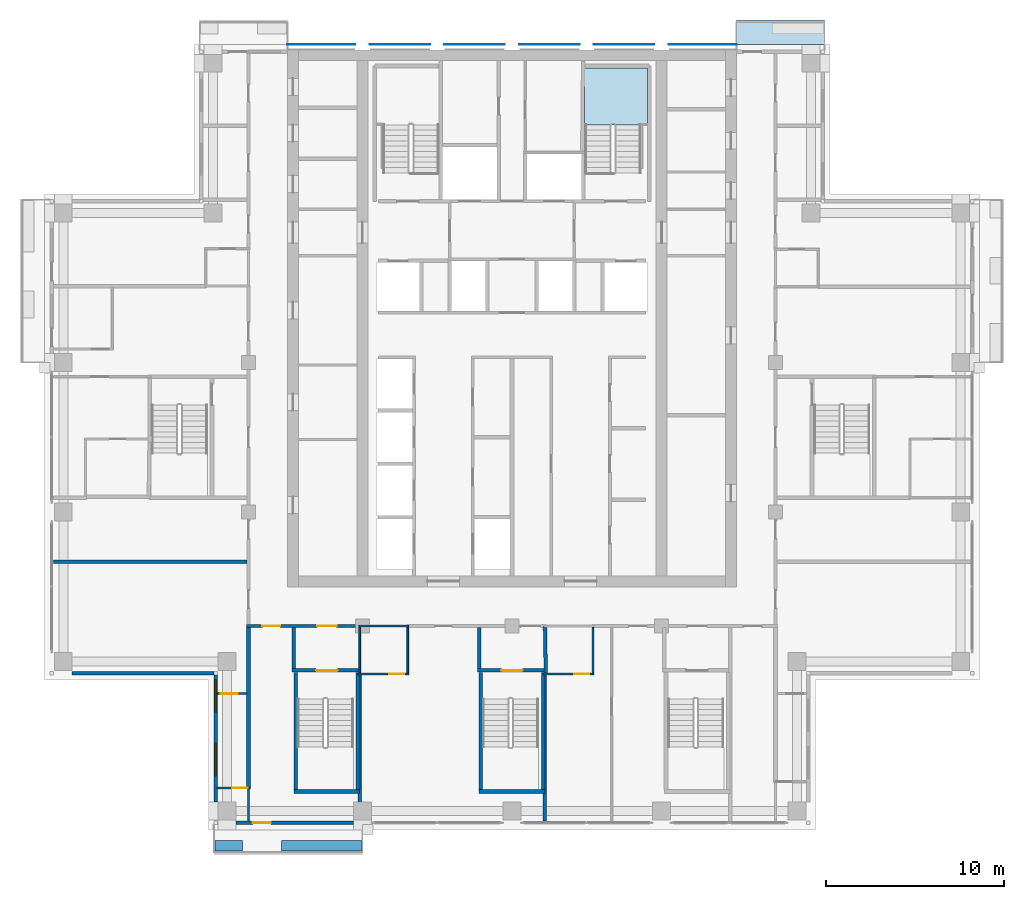
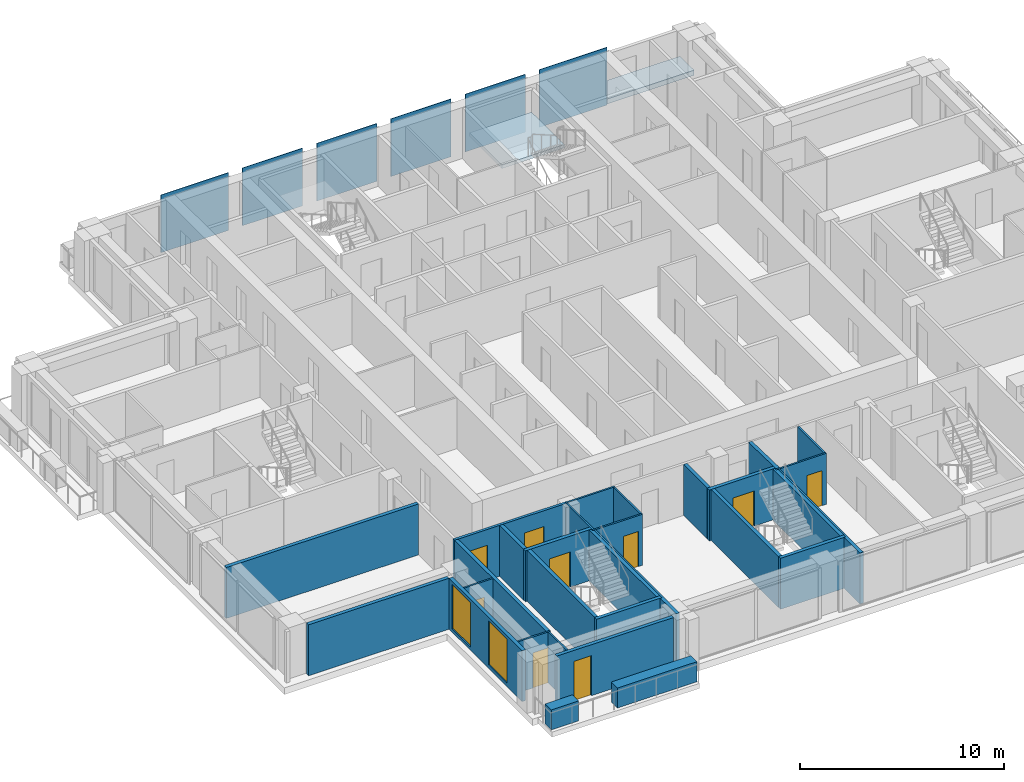
# One storey, part 7 of 16: 30 walls, 9 doors, 6 plates, 2 slabs, 2 windows, 11 openings, 1 element without a shape of its own.
"""IFC4 building model written with IfcOpenShell, lengths in metres."""

from ifc_helpers import new_model, si_unit, direction, frame, frame_2d, origin, origin_2d, place, context, subcontext, project, spatial, polyline, rectangle, outline, extrude, material, layer, layer_set, type_object, element, fill, aggregate, save


model = new_model("IFC4")

# Units and contexts
model_context = context("Model", 3, precision=1e-05, world=origin(), true_north=direction((0.0, 1.0)))
body_context = subcontext(model_context, "Body", "Model", "MODEL_VIEW")
ifc_project = project(units=[si_unit("LENGTHUNIT", "METRE"), si_unit("AREAUNIT", "SQUARE_METRE"), si_unit("VOLUMEUNIT", "CUBIC_METRE"), si_unit("PLANEANGLEUNIT", "RADIAN"), si_unit("MASSUNIT", "GRAM", prefix="KILO")], contexts=[model_context])

# Site, building, storey
site_placement = place(None, origin())
site = spatial("IfcSite", under=ifc_project, at=site_placement, CompositionType="ELEMENT")
building_placement = place(site_placement, origin())
building = spatial("IfcBuilding", under=site, at=building_placement, Name="Vermilion Ogive Tower", CompositionType="ELEMENT")
storey_placement = place(building_placement, frame((0.0, 0.0, 179.0)))
storey = spatial("IfcBuildingStorey", under=building, at=storey_placement, Name="L46", CompositionType="ELEMENT", Elevation=179.0)

# Slab
ifc_material_1 = material(Name="Concrete B40", Category="concrete")
ifc_layer_1 = layer(ifc_material_1, 0.300048828125)
ifc_layer_set_1 = layer_set([ifc_layer_1], Name="Balcony slab")
slab_type_1 = type_object("IfcSlabType", Name="Balcony slab", PredefinedType="FLOOR", material=ifc_layer_set_1)
slab_1_placement = place(storey_placement, frame((0.0, 0.0, -0.340087890625)))
element("IfcSlab", 1, at=slab_1_placement, inside=storey, type_object=slab_type_1, Name="Balcony slab N101", PredefinedType="FLOOR", context=body_context, shape_type="SweptSolid", body=[
    extrude(outline(polyline([(17.550048828125, 23.43408203125), (12.60009765625, 23.43408203125), (12.60009765625, 22.050048828125), (17.550048828125, 22.050048828125), (17.550048828125, 23.43408203125)])), origin(), (0.0, 0.0, 1.0), 0.300048828125),
])

# Plates
ifc_material_2 = material(Name="Low-iron laminated glazing in aluminium frame", Category="aluminium")
ifc_layer_2 = layer(ifc_material_2, 0.031982421875)
ifc_layer_set_2 = layer_set([ifc_layer_2], Name="Glazed rainscreen sheet 32")
plate_type = type_object("IfcPlateType", Name="Glazed rainscreen sheet 32", PredefinedType="SHEET", material=ifc_layer_set_2)
plate_1_placement = place(storey_placement, frame((-10.7099609375, 22.06591796875, -0.39990234375), z_axis=(0.0, 0.0, 1.0), x_axis=(1.0, 0.0, 0.0)))
element("IfcPlate", 2, at=plate_1_placement, inside=storey, type_object=plate_type, Name="Glazed rainscreen sheet N1", PredefinedType="SHEET", context=body_context, shape_type="SweptSolid", body=[
    extrude(rectangle(XDim=3.820068359375, YDim=0.031982421875, at=origin_2d()), origin(), (0.0, 0.0, 1.0), 3.449951171875),
])
for number, where, z_axis, x_axis, name in (
    (3, (-6.300048828125, 22.06591796875, -0.39990234375), (0.0, 0.0, 1.0), (1.0, 0.0, 0.0), "Glazed rainscreen sheet N2"),
    (4, (-2.10009765625, 22.06591796875, -0.39990234375), (0.0, 0.0, 1.0), (1.0, 0.0, 0.0), "Glazed rainscreen sheet N3"),
    (5, (2.10009765625, 22.06591796875, -0.39990234375), (0.0, 0.0, 1.0), (1.0, 0.0, 0.0), "Glazed rainscreen sheet N4"),
    (6, (6.300048828125, 22.06591796875, -0.39990234375), (0.0, 0.0, 1.0), (1.0, 0.0, 0.0), "Glazed rainscreen sheet N5"),
):
    element("IfcPlate", number, at=place(storey_placement, frame(where, z_axis=z_axis, x_axis=x_axis)), inside=storey, type_object=plate_type, Name=name, PredefinedType="SHEET", context=body_context, shape_type="SweptSolid", body=[
        extrude(rectangle(XDim=3.39990234375, YDim=0.031982421875, at=origin_2d()), origin(), (0.0, 0.0, 1.0), 3.449951171875),
    ])
plate_2_placement = place(storey_placement, frame((10.7099609375, 22.06591796875, -0.39990234375), z_axis=(0.0, 0.0, 1.0), x_axis=(1.0, 0.0, 0.0)))
element("IfcPlate", 7, at=plate_2_placement, inside=storey, type_object=plate_type, Name="Glazed rainscreen sheet N6", PredefinedType="SHEET", context=body_context, shape_type="SweptSolid", body=[
    extrude(rectangle(XDim=3.820068359375, YDim=0.031982421875, at=origin_2d()), origin(), (0.0, 0.0, 1.0), 3.449951171875),
])

# Stair, slab
ifc_material_3 = material(Name="Concrete B40", Category="concrete")
stair_type = type_object("IfcStairType", Name="Exit stair 1500", PredefinedType="HALF_TURN_STAIR", material=ifc_material_3)
stair_placement = place(storey_placement, origin())
stair = element("IfcStair", 8, at=stair_placement, inside=storey, type_object=stair_type, Name="L46 Exit Stair ST2", PredefinedType="HALF_TURN_STAIR")
ifc_material_4 = material(Name="Concrete B40", Category="concrete")
ifc_layer_3 = layer(ifc_material_4, 0.199951171875)
ifc_layer_set_3 = layer_set([ifc_layer_3], Name="Stair landing 200")
slab_type_2 = type_object("IfcSlabType", Name="Stair landing 200", PredefinedType="LANDING", material=ifc_layer_set_3)
slab_2_placement = place(storey_placement, frame((0.0, 0.0, 1.52490234375)))
slab_2 = element("IfcSlab", 9, at=slab_2_placement, type_object=slab_type_2, Name="ST2 landing 1", PredefinedType="LANDING", context=body_context, shape_type="SweptSolid", body=[
    extrude(outline(polyline([(5.60009765625, 17.550048828125), (5.75, 17.550048828125), (5.75, 17.548095703125), (7.25, 17.548095703125), (7.25, 17.550048828125), (7.60009765625, 17.550048828125), (7.60009765625, 20.75), (4.074951171875, 20.75), (4.074951171875, 17.550048828125), (4.10009765625, 17.550048828125), (4.10009765625, 17.548095703125), (5.60009765625, 17.548095703125), (5.60009765625, 17.550048828125)])), origin(), (0.0, 0.0, 1.0), 0.2001953125),
])
aggregate(stair, [slab_2])

# Wall, opening, door
ifc_material_5 = material(Name="Gypsum board partition on steel studs", Category="steel")
ifc_layer_4 = layer(ifc_material_5, 0.10009765625)
ifc_layer_set_4 = layer_set([ifc_layer_4], Name="Partition 100 bath")
wall_type_1 = type_object("IfcWallType", Name="Partition 100 bath", PredefinedType="PARTITIONING", material=ifc_layer_set_4)
wall_1_placement = place(storey_placement, frame((-16.550048828125, -19.699951171875, 0.0), z_axis=(0.0, 0.0, 1.0), x_axis=(1.0, 0.0, 0.0)))
wall_1 = element("IfcWall", 10, at=wall_1_placement, inside=storey, type_object=wall_type_1, Name="L46-W-W001", PredefinedType="PARTITIONING", context=body_context, shape_type="SweptSolid", body=[
    extrude(rectangle(XDim=1.85009765625, YDim=0.10009765625, at=frame_2d((0.925048828125, 0.0))), origin(), (0.0, 0.0, 1.0), 3.050048828125),
])
opening_1_placement = place(wall_1_placement, frame((0.85009765625, 0.0, 0.0)))
opening_1 = element("IfcOpeningElement", 11, at=opening_1_placement, cuts=wall_1, Name="Opening D4G1003", PredefinedType="OPENING", context=body_context, shape_type="SweptSolid", body=[
    extrude(rectangle(XDim=0.85009765625, YDim=2.10009765625, at=frame_2d((0.425048828125, 1.050048828125))), frame((0.0, 0.06005859375, 0.0), z_axis=(0.0, -1.0, 0.0), x_axis=(1.0, 0.0, 0.0)), (0.0, 0.0, 1.0), 0.1201171875),
])
ifc_material_6 = material(Name="Timber door leaf", Category="wood")
door_type_1 = type_object("IfcDoorType", Name="Bath door 850 x 2100 FD30", OperationType="SINGLE_SWING_LEFT", PredefinedType="DOOR", material=ifc_material_6)
door_1_placement = place(opening_1_placement, origin())
door_1 = element("IfcDoor", 12, at=door_1_placement, inside=storey, type_object=door_type_1, Name="L46-D-D003", OperationType="SINGLE_SWING_RIGHT", OverallHeight=2.10009765625, OverallWidth=0.85009765625, PredefinedType="DOOR", context=body_context, shape_type="SweptSolid", body=[
    extrude(rectangle(XDim=0.85009765625, YDim=2.10009765625, at=frame_2d((0.425048828125, 1.050048828125))), frame((0.0, 0.02490234375, 0.0), z_axis=(0.0, -1.0, 0.0), x_axis=(1.0, 0.0, 0.0)), (0.0, 0.0, 1.0), 0.050048828125),
])
fill(opening_1, door_1)

wall_2_placement = place(storey_placement, frame((-8.64990234375, -13.300048828125, 0.0), z_axis=(0.0, 0.0, 1.0), x_axis=(1.0, 0.0, 0.0)))
wall_2 = element("IfcWall", 13, at=wall_2_placement, inside=storey, type_object=wall_type_1, Name="L46-W-W008", PredefinedType="PARTITIONING", context=body_context, shape_type="SweptSolid", body=[
    extrude(rectangle(XDim=2.847900390625, YDim=0.10009765625, at=frame_2d((1.423828125, 0.0))), origin(), (0.0, 0.0, 1.0), 3.050048828125),
])
opening_2_placement = place(wall_2_placement, frame((1.75, 0.0, 0.0)))
opening_2 = element("IfcOpeningElement", 14, at=opening_2_placement, cuts=wall_2, Name="Opening D4G1013", PredefinedType="OPENING", context=body_context, shape_type="SweptSolid", body=[
    extrude(rectangle(XDim=0.85009765625, YDim=2.10009765625, at=frame_2d((0.425048828125, 1.050048828125))), frame((0.0, 0.06005859375, 0.0), z_axis=(0.0, -1.0, 0.0), x_axis=(1.0, 0.0, 0.0)), (0.0, 0.0, 1.0), 0.1201171875),
])
door_2_placement = place(opening_2_placement, origin())
door_2 = element("IfcDoor", 15, at=door_2_placement, inside=storey, type_object=door_type_1, Name="L46-D-D013", OperationType="SINGLE_SWING_RIGHT", OverallHeight=2.10009765625, OverallWidth=0.85009765625, PredefinedType="DOOR", context=body_context, shape_type="SweptSolid", body=[
    extrude(rectangle(XDim=0.85009765625, YDim=2.10009765625, at=frame_2d((0.425048828125, 1.050048828125))), frame((0.0, 0.02490234375, 0.0), z_axis=(0.0, -1.0, 0.0), x_axis=(1.0, 0.0, 0.0)), (0.0, 0.0, 1.0), 0.050048828125),
])
fill(opening_2, door_2)

wall_3_placement = place(storey_placement, frame((1.75, -13.300048828125, 0.0), z_axis=(0.0, 0.0, 1.0), x_axis=(1.0, 0.0, 0.0)))
wall_3 = element("IfcWall", 16, at=wall_3_placement, inside=storey, type_object=wall_type_1, Name="L46-W-W009", PredefinedType="PARTITIONING", context=body_context, shape_type="SweptSolid", body=[
    extrude(rectangle(XDim=2.85009765625, YDim=0.10009765625, at=frame_2d((1.425048828125, 0.0))), origin(), (0.0, 0.0, 1.0), 3.050048828125),
])
opening_3_placement = place(wall_3_placement, frame((1.75, 0.0, 0.0)))
opening_3 = element("IfcOpeningElement", 17, at=opening_3_placement, cuts=wall_3, Name="Opening D4G1016", PredefinedType="OPENING", context=body_context, shape_type="SweptSolid", body=[
    extrude(rectangle(XDim=0.85009765625, YDim=2.10009765625, at=frame_2d((0.425048828125, 1.050048828125))), frame((0.0, 0.06005859375, 0.0), z_axis=(0.0, -1.0, 0.0), x_axis=(1.0, 0.0, 0.0)), (0.0, 0.0, 1.0), 0.1201171875),
])
door_3_placement = place(opening_3_placement, origin())
door_3 = element("IfcDoor", 18, at=door_3_placement, inside=storey, type_object=door_type_1, Name="L46-D-D016", OperationType="SINGLE_SWING_RIGHT", OverallHeight=2.10009765625, OverallWidth=0.85009765625, PredefinedType="DOOR", context=body_context, shape_type="SweptSolid", body=[
    extrude(rectangle(XDim=0.85009765625, YDim=2.10009765625, at=frame_2d((0.425048828125, 1.050048828125))), frame((0.0, 0.02490234375, 0.0), z_axis=(0.0, -1.0, 0.0), x_axis=(1.0, 0.0, 0.0)), (0.0, 0.0, 1.0), 0.050048828125),
])
fill(opening_3, door_3)

# Walls
wall_4_placement = place(storey_placement, frame((-8.60009765625, -10.60009765625, 0.0), z_axis=(0.0, 0.0, 1.0), x_axis=(1.0, 0.0, 0.0)))
element("IfcWall", 19, at=wall_4_placement, inside=storey, type_object=wall_type_1, Name="L46-W-W014", PredefinedType="PARTITIONING", context=body_context, shape_type="SweptSolid", body=[
    extrude(rectangle(XDim=2.800048828125, YDim=0.10009765625, at=frame_2d((1.39990234375, 0.0))), origin(), (0.0, 0.0, 1.0), 3.050048828125),
])
wall_5_placement = place(storey_placement, frame((-14.800048828125, -21.550048828125, 0.0), z_axis=(0.0, 0.0, 1.0), x_axis=(0.0, 1.0, 0.0)))
element("IfcWall", 20, at=wall_5_placement, inside=storey, type_object=wall_type_1, Name="L46-W-W048", PredefinedType="PARTITIONING", context=body_context, shape_type="SweptSolid", body=[
    extrude(rectangle(XDim=1.800048828125, YDim=0.10009765625, at=frame_2d((0.89990234375, 0.0))), origin(), (0.0, 0.0, 1.0), 3.050048828125),
])
wall_6_placement = place(storey_placement, frame((-8.550048828125, -13.25, 0.0), z_axis=(0.0, 0.0, 1.0), x_axis=(0.0, 1.0, 0.0)))
element("IfcWall", 21, at=wall_6_placement, inside=storey, type_object=wall_type_1, Name="L46-W-W057", PredefinedType="PARTITIONING", context=body_context, shape_type="SweptSolid", body=[
    extrude(rectangle(XDim=2.574951171875, YDim=0.10009765625, at=frame_2d((1.28759765625, 0.0))), origin(), (0.0, 0.0, 1.0), 3.050048828125),
])
wall_7_placement = place(storey_placement, frame((-5.85009765625, -13.248046875, 0.0), z_axis=(0.0, 0.0, 1.0), x_axis=(0.0, 1.0, 0.0)))
element("IfcWall", 22, at=wall_7_placement, inside=storey, type_object=wall_type_1, Name="L46-W-W058", PredefinedType="PARTITIONING", context=body_context, shape_type="SweptSolid", body=[
    extrude(rectangle(XDim=2.572998046875, YDim=0.10009765625, at=frame_2d((1.28662109375, 0.0))), origin(), (0.0, 0.0, 1.0), 3.050048828125),
])
wall_8_placement = place(storey_placement, frame((4.550048828125, -13.25, 0.0), z_axis=(0.0, 0.0, 1.0), x_axis=(0.0, 1.0, 0.0)))
element("IfcWall", 23, at=wall_8_placement, inside=storey, type_object=wall_type_1, Name="L46-W-W064", PredefinedType="PARTITIONING", context=body_context, shape_type="SweptSolid", body=[
    extrude(rectangle(XDim=2.574951171875, YDim=0.10009765625, at=frame_2d((1.28759765625, 0.0))), origin(), (0.0, 0.0, 1.0), 3.050048828125),
])

# Wall, opening, door
ifc_material_7 = material(Name="Gypsum board partition on steel studs", Category="steel")
ifc_layer_5 = layer(ifc_material_7, 0.10009765625)
ifc_layer_set_5 = layer_set([ifc_layer_5], Name="Partition 100 inner")
wall_type_2 = type_object("IfcWallType", Name="Partition 100 inner", PredefinedType="PARTITIONING", material=ifc_layer_set_5)
wall_9_placement = place(storey_placement, frame((-16.550048828125, -14.39990234375, 0.0), z_axis=(0.0, 0.0, 1.0), x_axis=(1.0, 0.0, 0.0)))
wall_9 = element("IfcWall", 24, at=wall_9_placement, inside=storey, type_object=wall_type_2, Name="L46-W-W006", PredefinedType="PARTITIONING", context=body_context, shape_type="SweptSolid", body=[
    extrude(rectangle(XDim=1.650146484375, YDim=0.10009765625, at=frame_2d((0.8251953125, 0.0))), origin(), (0.0, 0.0, 1.0), 3.050048828125),
])
opening_4_placement = place(wall_9_placement, frame((0.199951171875, 0.0, 0.0)))
opening_4 = element("IfcOpeningElement", 25, at=opening_4_placement, cuts=wall_9, Name="Opening D4G1002", PredefinedType="OPENING", context=body_context, shape_type="SweptSolid", body=[
    extrude(rectangle(XDim=0.949951171875, YDim=2.10009765625, at=frame_2d((0.47509765625, 1.050048828125))), frame((0.0, 0.06005859375, 0.0), z_axis=(0.0, -1.0, 0.0), x_axis=(1.0, 0.0, 0.0)), (0.0, 0.0, 1.0), 0.1201171875),
])
ifc_material_8 = material(Name="Timber door leaf", Category="wood")
door_type_2 = type_object("IfcDoorType", Name="Inner door 950 x 2100 FD30", OperationType="SINGLE_SWING_LEFT", PredefinedType="DOOR", material=ifc_material_8)
door_4_placement = place(opening_4_placement, origin())
door_4 = element("IfcDoor", 26, at=door_4_placement, inside=storey, type_object=door_type_2, Name="L46-D-D002", OperationType="SINGLE_SWING_RIGHT", OverallHeight=2.10009765625, OverallWidth=0.949951171875, PredefinedType="DOOR", context=body_context, shape_type="SweptSolid", body=[
    extrude(rectangle(XDim=0.949951171875, YDim=2.10009765625, at=frame_2d((0.47509765625, 1.050048828125))), frame((0.0, 0.02490234375, 0.0), z_axis=(0.0, -1.0, 0.0), x_axis=(1.0, 0.0, 0.0)), (0.0, 0.0, 1.0), 0.050048828125),
])
fill(opening_4, door_4)

# Wall, openings, doors
ifc_material_9 = material(Name="Gypsum board partition on steel studs", Category="steel")
ifc_layer_6 = layer(ifc_material_9, 0.14990234375)
ifc_layer_set_6 = layer_set([ifc_layer_6], Name="Partition 150 corridor")
wall_type_3 = type_object("IfcWallType", Name="Partition 150 corridor", PredefinedType="PARTITIONING", material=ifc_layer_set_6)
wall_10_placement = place(storey_placement, frame((-14.89990234375, -10.60009765625, 0.0), z_axis=(0.0, 0.0, 1.0), x_axis=(1.0, 0.0, 0.0)))
wall_10 = element("IfcWall", 27, at=wall_10_placement, inside=storey, type_object=wall_type_3, Name="L46-W-W013", PredefinedType="PARTITIONING", context=body_context, shape_type="SweptSolid", body=[
    extrude(rectangle(XDim=6.39990234375, YDim=0.14990234375, at=frame_2d((3.199951171875, 0.0))), origin(), (0.0, 0.0, 1.0), 3.050048828125),
])
opening_5_placement = place(wall_10_placement, frame((3.949951171875, 0.0, 0.0)))
opening_5 = element("IfcOpeningElement", 28, at=opening_5_placement, cuts=wall_10, Name="Opening D4G1027", PredefinedType="OPENING", context=body_context, shape_type="SweptSolid", body=[
    extrude(rectangle(XDim=1.10009765625, YDim=2.10009765625, at=frame_2d((0.550048828125, 1.050048828125))), frame((0.0, 0.0849609375, 0.0), z_axis=(0.0, -1.0, 0.0), x_axis=(1.0, 0.0, 0.0)), (0.0, 0.0, 1.0), 0.169921875),
])
opening_6_placement = place(wall_10_placement, frame((0.875, 0.0, 0.0)))
opening_6 = element("IfcOpeningElement", 29, at=opening_6_placement, cuts=wall_10, Name="Opening D4G1037", PredefinedType="OPENING", context=body_context, shape_type="SweptSolid", body=[
    extrude(rectangle(XDim=1.0, YDim=2.10009765625, at=frame_2d((0.5, 1.050048828125))), frame((0.0, 0.0849609375, 0.0), z_axis=(0.0, -1.0, 0.0), x_axis=(1.0, 0.0, 0.0)), (0.0, 0.0, 1.0), 0.169921875),
])
ifc_material_10 = material(Name="Timber door leaf", Category="wood")
door_type_3 = type_object("IfcDoorType", Name="Stair door 1100 x 2100 FD60S", OperationType="SINGLE_SWING_LEFT", PredefinedType="DOOR", material=ifc_material_10)
door_5_placement = place(opening_5_placement, origin())
door_5 = element("IfcDoor", 30, at=door_5_placement, inside=storey, type_object=door_type_3, Name="L46-D-D027", OperationType="SINGLE_SWING_RIGHT", OverallHeight=2.10009765625, OverallWidth=1.10009765625, PredefinedType="DOOR", context=body_context, shape_type="SweptSolid", body=[
    extrude(rectangle(XDim=1.10009765625, YDim=2.10009765625, at=frame_2d((0.550048828125, 1.050048828125))), frame((0.0, 0.02490234375, 0.0), z_axis=(0.0, -1.0, 0.0), x_axis=(1.0, 0.0, 0.0)), (0.0, 0.0, 1.0), 0.050048828125),
])
fill(opening_5, door_5)
ifc_material_11 = material(Name="Timber door leaf", Category="wood")
door_type_4 = type_object("IfcDoorType", Name="Unit door 1000 x 2100 FD30S", OperationType="SINGLE_SWING_LEFT", PredefinedType="DOOR", material=ifc_material_11)
door_6_placement = place(opening_6_placement, origin())
door_6 = element("IfcDoor", 31, at=door_6_placement, inside=storey, type_object=door_type_4, Name="L46-D-D037", OperationType="SINGLE_SWING_RIGHT", OverallHeight=2.10009765625, OverallWidth=1.0, PredefinedType="DOOR", context=body_context, shape_type="SweptSolid", body=[
    extrude(rectangle(XDim=1.0, YDim=2.10009765625, at=frame_2d((0.5, 1.050048828125))), frame((0.0, 0.02490234375, 0.0), z_axis=(0.0, -1.0, 0.0), x_axis=(1.0, 0.0, 0.0)), (0.0, 0.0, 1.0), 0.050048828125),
])
fill(opening_6, door_6)

# Walls
ifc_material_12 = material(Name="Gypsum board partition on steel studs", Category="steel")
ifc_layer_7 = layer(ifc_material_12, 0.199951171875)
ifc_layer_set_7 = layer_set([ifc_layer_7], Name="Partition 200 party")
wall_type_4 = type_object("IfcWallType", Name="Partition 200 party", PredefinedType="PARTITIONING", material=ifc_layer_set_7)
wall_11_placement = place(storey_placement, frame((-25.75, -7.0, 0.0), z_axis=(0.0, 0.0, 1.0), x_axis=(1.0, 0.0, 0.0)))
element("IfcWall", 32, at=wall_11_placement, inside=storey, type_object=wall_type_4, Name="L46-W-W018", PredefinedType="PARTITIONING", context=body_context, shape_type="SweptSolid", body=[
    extrude(rectangle(XDim=10.875, YDim=0.199951171875, at=frame_2d((5.4375, 0.0))), origin(), (0.0, 0.0, 1.0), 3.050048828125),
])
wall_12_placement = place(storey_placement, frame((-14.800048828125, -19.64990234375, 0.0), z_axis=(0.0, 0.0, 1.0), x_axis=(0.0, 1.0, 0.0)))
element("IfcWall", 33, at=wall_12_placement, inside=storey, type_object=wall_type_4, Name="L46-W-W049", PredefinedType="PARTITIONING", context=body_context, shape_type="SweptSolid", body=[
    extrude(rectangle(XDim=8.974853515625, YDim=0.199951171875, at=frame_2d((4.4873046875, 0.0))), origin(), (0.0, 0.0, 1.0), 3.050048828125),
])
for number, where, z_axis, x_axis, name in (
    (34, (-12.25, -12.998046875, 0.0), (0.0, 0.0, 1.0), (0.0, 1.0, 0.0), "L46-W-W053"),
    (35, (-1.85009765625, -12.998046875, 0.0), (0.0, 0.0, 1.0), (0.0, 1.0, 0.0), "L46-W-W059"),
):
    element("IfcWall", number, at=place(storey_placement, frame(where, z_axis=z_axis, x_axis=x_axis)), inside=storey, type_object=wall_type_4, Name=name, PredefinedType="PARTITIONING", context=body_context, shape_type="SweptSolid", body=[
        extrude(rectangle(XDim=2.322998046875, YDim=0.199951171875, at=frame_2d((1.16162109375, 0.0))), origin(), (0.0, 0.0, 1.0), 3.050048828125),
    ])
ifc_material_13 = material(Name="Concrete B60", Category="concrete")
ifc_layer_8 = layer(ifc_material_13, 0.199951171875)
ifc_layer_set_8 = layer_set([ifc_layer_8], Name="Stair shaft wall 200 Concrete B60")
wall_type_5 = type_object("IfcWallType", Name="Stair shaft wall 200 Concrete B60", PredefinedType="SOLIDWALL", material=ifc_layer_set_8)
wall_13_placement = place(storey_placement, frame((-12.248046875, -19.89990234375, 0.0), z_axis=(0.0, 0.0, 1.0), x_axis=(1.0, 0.0, 0.0)))
element("IfcWall", 36, at=wall_13_placement, inside=storey, type_object=wall_type_5, Name="L46-W-W002", PredefinedType="SOLIDWALL", context=body_context, shape_type="SweptSolid", body=[
    extrude(rectangle(XDim=3.696044921875, YDim=0.199951171875, at=frame_2d((1.84814453125, 0.0))), origin(), (0.0, 0.0, 1.0), 3.050048828125),
])
wall_14_placement = place(storey_placement, frame((-1.847900390625, -19.89990234375, 0.0), z_axis=(0.0, 0.0, 1.0), x_axis=(1.0, 0.0, 0.0)))
element("IfcWall", 37, at=wall_14_placement, inside=storey, type_object=wall_type_5, Name="L46-W-W003", PredefinedType="SOLIDWALL", context=body_context, shape_type="SweptSolid", body=[
    extrude(rectangle(XDim=3.69580078125, YDim=0.199951171875, at=frame_2d((1.847900390625, 0.0))), origin(), (0.0, 0.0, 1.0), 3.050048828125),
])

# Wall, opening, door
wall_15_placement = place(storey_placement, frame((-12.347900390625, -13.10009765625, 0.0), z_axis=(0.0, 0.0, 1.0), x_axis=(1.0, 0.0, 0.0)))
wall_15 = element("IfcWall", 38, at=wall_15_placement, inside=storey, type_object=wall_type_5, Name="L46-W-W010", PredefinedType="SOLIDWALL", context=body_context, shape_type="SweptSolid", body=[
    extrude(rectangle(XDim=3.745849609375, YDim=0.199951171875, at=frame_2d((1.873046875, 0.0))), origin(), (0.0, 0.0, 1.0), 3.050048828125),
])
opening_7_placement = place(wall_15_placement, frame((1.347900390625, 0.0, 0.0)))
opening_7 = element("IfcOpeningElement", 39, at=opening_7_placement, cuts=wall_15, Name="Opening D4G1028", PredefinedType="OPENING", context=body_context, shape_type="SweptSolid", body=[
    extrude(rectangle(XDim=1.199951171875, YDim=2.10009765625, at=frame_2d((0.60009765625, 1.050048828125))), frame((0.0, 0.10986328125, 0.0), z_axis=(0.0, -1.0, 0.0), x_axis=(1.0, 0.0, 0.0)), (0.0, 0.0, 1.0), 0.219970703125),
])
ifc_material_14 = material(Name="Timber door leaf", Category="wood")
door_type_5 = type_object("IfcDoorType", Name="Stair door 1200 x 2100 FD60S", OperationType="SINGLE_SWING_LEFT", PredefinedType="DOOR", material=ifc_material_14)
door_7_placement = place(opening_7_placement, origin())
door_7 = element("IfcDoor", 40, at=door_7_placement, inside=storey, type_object=door_type_5, Name="L46-D-D028", OperationType="SINGLE_SWING_RIGHT", OverallHeight=2.10009765625, OverallWidth=1.199951171875, PredefinedType="DOOR", context=body_context, shape_type="SweptSolid", body=[
    extrude(rectangle(XDim=1.199951171875, YDim=2.10009765625, at=frame_2d((0.60009765625, 1.050048828125))), frame((0.0, 0.02490234375, 0.0), z_axis=(0.0, -1.0, 0.0), x_axis=(1.0, 0.0, 0.0)), (0.0, 0.0, 1.0), 0.050048828125),
])
fill(opening_7, door_7)

wall_16_placement = place(storey_placement, frame((-1.947998046875, -13.10009765625, 0.0), z_axis=(0.0, 0.0, 1.0), x_axis=(1.0, 0.0, 0.0)))
wall_16 = element("IfcWall", 41, at=wall_16_placement, inside=storey, type_object=wall_type_5, Name="L46-W-W011", PredefinedType="SOLIDWALL", context=body_context, shape_type="SweptSolid", body=[
    extrude(rectangle(XDim=3.74609375, YDim=0.199951171875, at=frame_2d((1.873046875, 0.0))), origin(), (0.0, 0.0, 1.0), 3.050048828125),
])
opening_8_placement = place(wall_16_placement, frame((1.347900390625, 0.0, 0.0)))
opening_8 = element("IfcOpeningElement", 42, at=opening_8_placement, cuts=wall_16, Name="Opening D4G1030", PredefinedType="OPENING", context=body_context, shape_type="SweptSolid", body=[
    extrude(rectangle(XDim=1.199951171875, YDim=2.10009765625, at=frame_2d((0.60009765625, 1.050048828125))), frame((0.0, 0.10986328125, 0.0), z_axis=(0.0, -1.0, 0.0), x_axis=(1.0, 0.0, 0.0)), (0.0, 0.0, 1.0), 0.219970703125),
])
door_8_placement = place(opening_8_placement, origin())
door_8 = element("IfcDoor", 43, at=door_8_placement, inside=storey, type_object=door_type_5, Name="L46-D-D030", OperationType="SINGLE_SWING_RIGHT", OverallHeight=2.10009765625, OverallWidth=1.199951171875, PredefinedType="DOOR", context=body_context, shape_type="SweptSolid", body=[
    extrude(rectangle(XDim=1.199951171875, YDim=2.10009765625, at=frame_2d((0.60009765625, 1.050048828125))), frame((0.0, 0.02490234375, 0.0), z_axis=(0.0, -1.0, 0.0), x_axis=(1.0, 0.0, 0.0)), (0.0, 0.0, 1.0), 0.050048828125),
])
fill(opening_8, door_8)

# Walls
for number, where, z_axis, x_axis, name in (
    (44, (-12.14990234375, -19.798095703125, 0.0), (0.0, 0.0, 1.0), (0.0, 1.0, 0.0), "L46-W-W054"),
    (45, (-8.64990234375, -19.798095703125, 0.0), (0.0, 0.0, 1.0), (0.0, 1.0, 0.0), "L46-W-W055"),
    (46, (-1.75, -19.798095703125, 0.0), (0.0, 0.0, 1.0), (0.0, 1.0, 0.0), "L46-W-W060"),
    (47, (1.75, -19.798095703125, 0.0), (0.0, 0.0, 1.0), (0.0, 1.0, 0.0), "L46-W-W061"),
):
    element("IfcWall", number, at=place(storey_placement, frame(where, z_axis=z_axis, x_axis=x_axis)), inside=storey, type_object=wall_type_5, Name=name, PredefinedType="SOLIDWALL", context=body_context, shape_type="SweptSolid", body=[
        extrude(rectangle(XDim=6.59619140625, YDim=0.199951171875, at=frame_2d((3.298095703125, 0.0))), origin(), (0.0, 0.0, 1.0), 3.050048828125),
    ])
wall_17_placement = place(storey_placement, frame((1.85009765625, -21.550048828125, 0.0), z_axis=(0.0, 0.0, 1.0), x_axis=(0.0, 1.0, 0.0)))
element("IfcWall", 48, at=wall_17_placement, inside=storey, type_object=wall_type_5, Name="L46-W-W062", PredefinedType="SOLIDWALL", context=body_context, shape_type="SweptSolid", body=[
    extrude(rectangle(XDim=8.199951171875, YDim=0.199951171875, at=frame_2d((4.10009765625, 0.0))), origin(), (0.0, 0.0, 1.0), 3.050048828125),
])
wall_18_placement = place(storey_placement, frame((1.900146484375, -13.25, 0.0), z_axis=(0.0, 0.0, 1.0), x_axis=(-0.019062755699, 0.999818289163, 0.0)))
element("IfcWall", 49, at=wall_18_placement, inside=storey, type_object=wall_type_5, Name="L46-W-W063", PredefinedType="SOLIDWALL", context=body_context, shape_type="SweptSolid", body=[
    extrude(rectangle(XDim=2.62548828125, YDim=0.199951171875, at=frame_2d((1.312744140625, 0.0))), origin(), (0.0, 0.0, 1.0), 3.050048828125),
])
wall_19_placement = place(storey_placement, frame((-8.550048828125, -21.550048828125, 0.0), z_axis=(0.0, 0.0, 1.0), x_axis=(0.0, 1.0, 0.0)))
element("IfcWall", 50, at=wall_19_placement, inside=storey, type_object=wall_type_5, Name="L46-W-W056-A", PredefinedType="SOLIDWALL", context=body_context, shape_type="SweptSolid", body=[
    extrude(rectangle(XDim=8.199951171875, YDim=0.199951171875, at=frame_2d((4.10009765625, 0.0))), origin(), (0.0, 0.0, 1.0), 3.050048828125),
])
ifc_material_15 = material(Name="Concrete B40", Category="concrete")
ifc_layer_9 = layer(ifc_material_15, 0.60009765625)
ifc_layer_set_9 = layer_set([ifc_layer_9], Name="Structural planter")
wall_type_6 = type_object("IfcWallType", Name="Structural planter", PredefinedType="USERDEFINED", material=ifc_layer_set_9)
wall_20_placement = place(storey_placement, frame((-16.68994140625, -22.9541015625, -0.0400390625), z_axis=(0.0, 0.0, 1.0), x_axis=(1.0, 0.0, 0.0)))
element("IfcWall", 51, at=wall_20_placement, inside=storey, type_object=wall_type_6, Name="Planter S01A1", ObjectType="PLANTER", PredefinedType="USERDEFINED", context=body_context, shape_type="SweptSolid", body=[
    extrude(rectangle(XDim=1.5400390625, YDim=0.60009765625, at=frame_2d((0.77001953125, 0.0))), origin(), (0.0, 0.0, 1.0), 1.199951171875),
])
wall_21_placement = place(storey_placement, frame((-12.949951171875, -22.9541015625, -0.0400390625), z_axis=(0.0, 0.0, 1.0), x_axis=(1.0, 0.0, 0.0)))
element("IfcWall", 52, at=wall_21_placement, inside=storey, type_object=wall_type_6, Name="Planter S01A2", ObjectType="PLANTER", PredefinedType="USERDEFINED", context=body_context, shape_type="SweptSolid", body=[
    extrude(rectangle(XDim=4.489990234375, YDim=0.60009765625, at=frame_2d((2.2451171875, 0.0))), origin(), (0.0, 0.0, 1.0), 1.199951171875),
])

# Wall, opening, door
ifc_material_16 = material(Name="Aluminium window wall framing", Category="aluminium")
ifc_layer_10 = layer(ifc_material_16, 0.199951171875)
ifc_layer_set_10 = layer_set([ifc_layer_10], Name="Window wall")
wall_type_7 = type_object("IfcWallType", Name="Window wall", PredefinedType="STANDARD", material=ifc_layer_set_10)
wall_22_placement = place(storey_placement, frame((-15.5, -21.64990234375, 0.0), z_axis=(0.0, 0.0, 1.0), x_axis=(1.0, 0.0, 0.0)))
wall_22 = element("IfcWall", 53, at=wall_22_placement, inside=storey, type_object=wall_type_7, Name="Window wall S1", PredefinedType="STANDARD", context=body_context, shape_type="SweptSolid", body=[
    extrude(rectangle(XDim=6.60009765625, YDim=0.199951171875, at=frame_2d((3.300048828125, 0.0))), origin(), (0.0, 0.0, 1.0), 3.050048828125),
])
opening_9_placement = place(wall_22_placement, frame((0.949951171875, 0.0, 0.0)))
opening_9 = element("IfcOpeningElement", 54, at=opening_9_placement, cuts=wall_22, Name="Opening D1-S96K", PredefinedType="OPENING", context=body_context, shape_type="SweptSolid", body=[
    extrude(rectangle(XDim=1.0, YDim=2.39990234375, at=frame_2d((0.5, 1.199951171875))), frame((0.0, 0.10986328125, 0.0), z_axis=(0.0, -1.0, 0.0), x_axis=(1.0, 0.0, 0.0)), (0.0, 0.0, 1.0), 0.219970703125),
])
ifc_material_17 = material(Name="Aluminium framed glazed door", Category="aluminium")
door_type_6 = type_object("IfcDoorType", Name="Balcony door D1", OperationType="SINGLE_SWING_LEFT", PredefinedType="DOOR", material=ifc_material_17)
door_9_placement = place(opening_9_placement, origin())
door_9 = element("IfcDoor", 55, at=door_9_placement, inside=storey, type_object=door_type_6, Name="Balcony door S96K", OperationType="SINGLE_SWING_LEFT", OverallHeight=2.39990234375, OverallWidth=1.0, PredefinedType="DOOR", context=body_context, shape_type="SweptSolid", body=[
    extrude(rectangle(XDim=1.0, YDim=2.39990234375, at=frame_2d((0.5, 1.199951171875))), frame((0.0, 0.02490234375, 0.0), z_axis=(0.0, -1.0, 0.0), x_axis=(1.0, 0.0, 0.0)), (0.0, 0.0, 1.0), 0.050048828125),
])
fill(opening_9, door_9)

# Wall
wall_23_placement = place(storey_placement, frame((-24.699951171875, -13.25, 0.0), z_axis=(0.0, 0.0, 1.0), x_axis=(1.0, 0.0, 0.0)))
element("IfcWall", 56, at=wall_23_placement, inside=storey, type_object=wall_type_7, Name="Window wall X71", PredefinedType="STANDARD", context=body_context, shape_type="SweptSolid", body=[
    extrude(rectangle(XDim=7.949951171875, YDim=0.199951171875, at=frame_2d((3.97509765625, 0.0))), origin(), (0.0, 0.0, 1.0), 3.050048828125),
])

# Wall, openings, windows
wall_24_placement = place(storey_placement, frame((-16.64990234375, -13.35009765625, 0.0), z_axis=(0.0, 0.0, 1.0), x_axis=(0.0, -1.0, 0.0)))
wall_24 = element("IfcWall", 57, at=wall_24_placement, inside=storey, type_object=wall_type_7, Name="Window wall X81", PredefinedType="STANDARD", context=body_context, shape_type="SweptSolid", body=[
    extrude(rectangle(XDim=7.14990234375, YDim=0.199951171875, at=frame_2d((3.574951171875, 0.0))), origin(), (0.0, 0.0, 1.0), 3.050048828125),
])
opening_10_placement = place(wall_24_placement, frame((3.85009765625, 0.0, 0.199951171875)))
opening_10 = element("IfcOpeningElement", 58, at=opening_10_placement, cuts=wall_24, Name="Opening W1-X895", PredefinedType="OPENING", context=body_context, shape_type="SweptSolid", body=[
    extrude(rectangle(XDim=1.800048828125, YDim=2.64990234375, at=frame_2d((0.89990234375, 1.324951171875))), frame((0.0, 0.10986328125, 0.0), z_axis=(0.0, -1.0, 0.0), x_axis=(1.0, 0.0, 0.0)), (0.0, 0.0, 1.0), 0.219970703125),
])
opening_11_placement = place(wall_24_placement, frame((0.27490234375, 0.0, 0.199951171875)))
opening_11 = element("IfcOpeningElement", 59, at=opening_11_placement, cuts=wall_24, Name="Opening W1-X896", PredefinedType="OPENING", context=body_context, shape_type="SweptSolid", body=[
    extrude(rectangle(XDim=1.800048828125, YDim=2.64990234375, at=frame_2d((0.89990234375, 1.324951171875))), frame((0.0, 0.10986328125, 0.0), z_axis=(0.0, -1.0, 0.0), x_axis=(1.0, 0.0, 0.0)), (0.0, 0.0, 1.0), 0.219970703125),
])
ifc_material_18 = material(Name="Aluminium framed double glazing", Category="aluminium")
window_type = type_object("IfcWindowType", Name="Guest window W1", PartitioningType="SINGLE_PANEL", PredefinedType="WINDOW", material=ifc_material_18)
window_1_placement = place(opening_10_placement, origin())
window_1 = element("IfcWindow", 60, at=window_1_placement, inside=storey, type_object=window_type, Name="Window X895", OverallHeight=2.64990234375, OverallWidth=1.800048828125, PartitioningType="SINGLE_PANEL", PredefinedType="WINDOW", context=body_context, shape_type="SweptSolid", body=[
    extrude(rectangle(XDim=1.800048828125, YDim=2.64990234375, at=frame_2d((0.89990234375, 1.324951171875))), frame((0.0, 0.030029296875, 0.0), z_axis=(0.0, -1.0, 0.0), x_axis=(1.0, 0.0, 0.0)), (0.0, 0.0, 1.0), 0.06005859375),
])
fill(opening_10, window_1)
window_2_placement = place(opening_11_placement, origin())
window_2 = element("IfcWindow", 61, at=window_2_placement, inside=storey, type_object=window_type, Name="Window X896", OverallHeight=2.64990234375, OverallWidth=1.800048828125, PartitioningType="SINGLE_PANEL", PredefinedType="WINDOW", context=body_context, shape_type="SweptSolid", body=[
    extrude(rectangle(XDim=1.800048828125, YDim=2.64990234375, at=frame_2d((0.89990234375, 1.324951171875))), frame((0.0, 0.030029296875, 0.0), z_axis=(0.0, -1.0, 0.0), x_axis=(1.0, 0.0, 0.0)), (0.0, 0.0, 1.0), 0.06005859375),
])
fill(opening_11, window_2)

save(model, "model.ifc")
